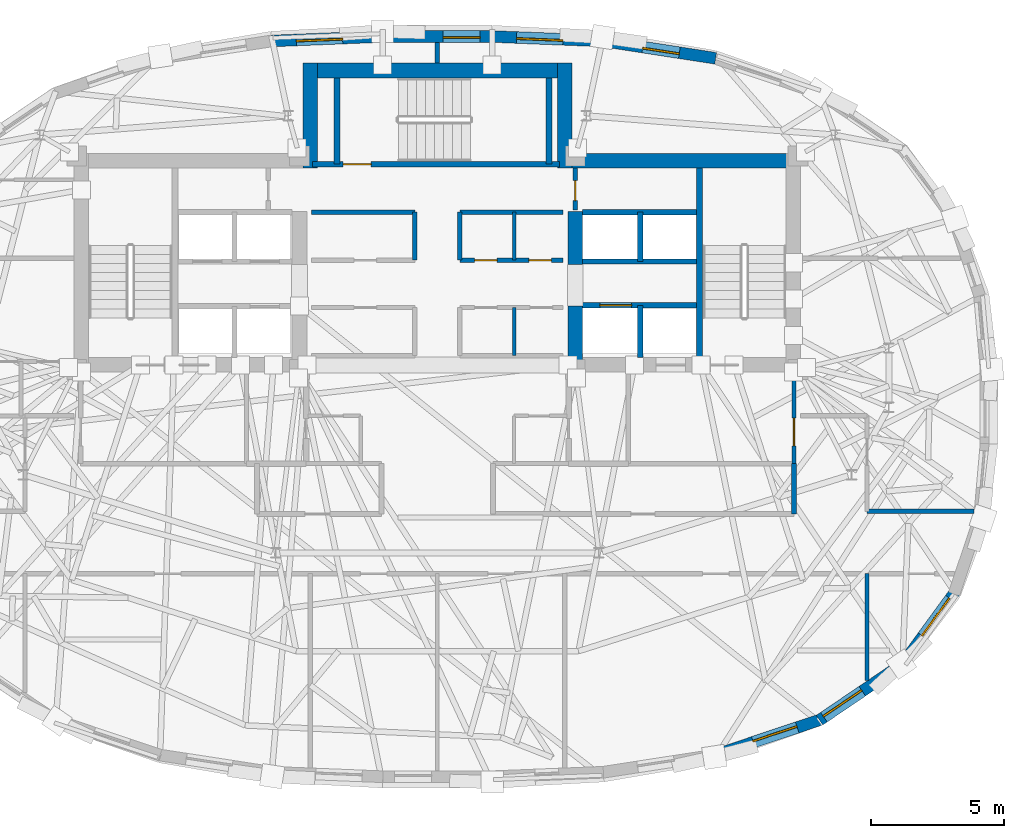
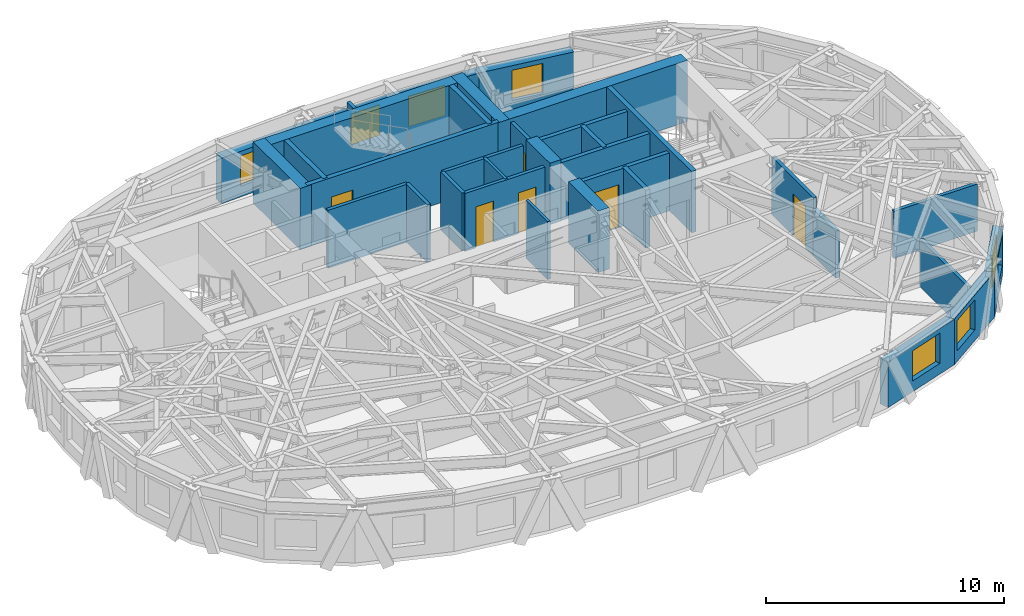
# One storey, part 8 of 12: 35 walls, 7 windows, 6 doors, 13 openings.
"""IFC4 building model written with IfcOpenShell, lengths in metres."""

from ifc_helpers import new_model, si_unit, direction, frame, frame_2d, origin, place, context, subcontext, project, spatial, rectangle, extrude, material, layer, layer_set, type_object, element, fill, save


model = new_model("IFC4")

# Units and contexts
model_context = context("Model", 3, precision=1e-05, world=origin(), true_north=direction((0.0, 1.0)))
body_context = subcontext(model_context, "Body", "Model", "MODEL_VIEW")
ifc_project = project(units=[si_unit("LENGTHUNIT", "METRE"), si_unit("AREAUNIT", "SQUARE_METRE"), si_unit("VOLUMEUNIT", "CUBIC_METRE"), si_unit("PLANEANGLEUNIT", "RADIAN"), si_unit("MASSUNIT", "GRAM", prefix="KILO")], contexts=[model_context])

# Site, building, storey
site_placement = place(None, origin())
site = spatial("IfcSite", under=ifc_project, at=site_placement, CompositionType="ELEMENT")
building_placement = place(site_placement, origin())
building = spatial("IfcBuilding", under=site, at=building_placement, Name="Keldmark Tower", CompositionType="ELEMENT")
storey_placement = place(building_placement, frame((0.0, 0.0, 250.949951171875)))
storey = spatial("IfcBuildingStorey", under=building, at=storey_placement, Name="L71", CompositionType="ELEMENT", Elevation=250.949951171875)

# Walls
ifc_material_1 = material(Name="Heavy Acoustic Plumbing Chase Gypsum Assembly", Category="gypsum")
ifc_layer_1 = layer(ifc_material_1, 0.18994140625)
ifc_layer_set_1 = layer_set([ifc_layer_1], Name="Heavy Acoustic Plumbing Chase Gypsum Assembly")
wall_type_1 = type_object("IfcWallType", Name="Heavy Wet Wall 190 mm", PredefinedType="PLUMBINGWALL", material=ifc_layer_set_1)
wall_1_placement = place(storey_placement, frame((13.449951171875, -4.050048828125, 0.0), z_axis=(0.0, 0.0, 1.0), x_axis=(0.0, 1.0, 0.0)))
element("IfcWall", 1, at=wall_1_placement, inside=storey, type_object=wall_type_1, Name="L71 Heavy Wet Wall 190 mm SPK-E-E", PredefinedType="PLUMBINGWALL", context=body_context, shape_type="SweptSolid", body=[
    extrude(rectangle(XDim=1.900146484375, YDim=0.18994140625, at=frame_2d((0.9501953125, 0.0))), origin(), (0.0, 0.0, 1.0), 2.423095703125),
])
ifc_material_2 = material(Name="Concrete C50/60", Category="concrete")
ifc_layer_2 = layer(ifc_material_2, 0.550048828125)
ifc_layer_set_2 = layer_set([ifc_layer_2], Name="Concrete C50/60")
wall_type_2 = type_object("IfcWallType", Name="High-Rise Core Shear Wall 550 mm", PredefinedType="SHEAR", material=ifc_layer_set_2)
wall_2_placement = place(storey_placement, frame((4.52490234375, 9.27490234375, 0.0), z_axis=(0.0, 0.0, 1.0), x_axis=(1.0, 0.0, 0.0)))
element("IfcWall", 2, at=wall_2_placement, inside=storey, type_object=wall_type_2, Name="L71 East Core North Shear Wall", PredefinedType="SHEAR", context=body_context, shape_type="SweptSolid", body=[
    extrude(rectangle(XDim=9.175048828125, YDim=0.550048828125, at=frame_2d((4.58740234375, 0.0))), origin(), (0.0, 0.0, 1.0), 3.150146484375),
])
wall_3_placement = place(storey_placement, frame((5.199951171875, 1.300048828125, 0.0), z_axis=(0.0, 0.0, 1.0), x_axis=(0.0, 1.0, 0.0)))
element("IfcWall", 3, at=wall_3_placement, inside=storey, type_object=wall_type_2, Name="L71 East Core Inner Shear Pier South", PredefinedType="SHEAR", context=body_context, shape_type="SweptSolid", body=[
    extrude(rectangle(XDim=2.5, YDim=0.550048828125, at=frame_2d((1.25, 0.0))), origin(), (0.0, 0.0, 1.0), 3.150146484375),
])
wall_4_placement = place(storey_placement, frame((5.199951171875, 5.35009765625, 0.0), z_axis=(0.0, 0.0, 1.0), x_axis=(0.0, 1.0, 0.0)))
element("IfcWall", 4, at=wall_4_placement, inside=storey, type_object=wall_type_2, Name="L71 East Core Inner Shear Pier North", PredefinedType="SHEAR", context=body_context, shape_type="SweptSolid", body=[
    extrude(rectangle(XDim=2.0, YDim=0.550048828125, at=frame_2d((1.0, 0.0))), origin(), (0.0, 0.0, 1.0), 3.150146484375),
])
wall_5_placement = place(storey_placement, frame((-5.074951171875, 12.675048828125, 0.0), z_axis=(0.0, 0.0, 1.0), x_axis=(1.0, 0.0, 0.0)))
element("IfcWall", 5, at=wall_5_placement, inside=storey, type_object=wall_type_2, Name="L71 North Core Shear Wall", PredefinedType="SHEAR", context=body_context, shape_type="SweptSolid", body=[
    extrude(rectangle(XDim=10.14990234375, YDim=0.550048828125, at=frame_2d((5.074951171875, 0.0))), origin(), (0.0, 0.0, 1.0), 3.150146484375),
])
for number, where, z_axis, x_axis, name in (
    (6, (-4.800048828125, 9.0, 0.0), (0.0, 0.0, 1.0), (0.0, 1.0, 0.0), "L71 North Core West Shear Wall"),
    (7, (4.800048828125, 9.0, 0.0), (0.0, 0.0, 1.0), (0.0, 1.0, 0.0), "L71 North Core East Shear Wall"),
):
    element("IfcWall", number, at=place(storey_placement, frame(where, z_axis=z_axis, x_axis=x_axis)), inside=storey, type_object=wall_type_2, Name=name, PredefinedType="SHEAR", context=body_context, shape_type="SweptSolid", body=[
        extrude(rectangle(XDim=3.949951171875, YDim=0.550048828125, at=frame_2d((1.97509765625, 0.0))), origin(), (0.0, 0.0, 1.0), 3.150146484375),
    ])
ifc_material_3 = material(Name="Acoustic Gypsum Board Interior Partition", Category="gypsum")
ifc_layer_3 = layer(ifc_material_3, 0.1298828125)
ifc_layer_set_3 = layer_set([ifc_layer_3], Name="Acoustic Gypsum Board Interior Partition")
wall_type_3 = type_object("IfcWallType", Name="Interior Partition 130 mm", PredefinedType="PARTITIONING", material=ifc_layer_set_3)
wall_6_placement = place(storey_placement, frame((2.89990234375, 1.919921875, 0.0), z_axis=(0.0, 0.0, 1.0), x_axis=(0.0, 1.0, 0.0)))
element("IfcWall", 8, at=wall_6_placement, inside=storey, type_object=wall_type_3, Name="L71 Interior Partition 130 mm REC-LE-M", PredefinedType="PARTITIONING", context=body_context, shape_type="SweptSolid", body=[
    extrude(rectangle(XDim=1.820068359375, YDim=0.1298828125, at=frame_2d((0.91015625, 0.0))), origin(), (0.0, 0.0, 1.0), 2.969970703125),
])
wall_7_placement = place(storey_placement, frame((2.89990234375, 5.52001953125, 0.0), z_axis=(0.0, 0.0, 1.0), x_axis=(0.0, 1.0, 0.0)))
element("IfcWall", 9, at=wall_7_placement, inside=storey, type_object=wall_type_3, Name="L71 Interior Partition 130 mm REC-ME-M", PredefinedType="PARTITIONING", context=body_context, shape_type="SweptSolid", body=[
    extrude(rectangle(XDim=1.81005859375, YDim=0.1298828125, at=frame_2d((0.905029296875, 0.0))), origin(), (0.0, 0.0, 1.0), 2.969970703125),
])

# Wall, opening, door
ifc_material_4 = material(Name="Type X Fire-Rated Gypsum Partition Assembly", Category="gypsum")
ifc_layer_4 = layer(ifc_material_4, 0.1650390625)
ifc_layer_set_4 = layer_set([ifc_layer_4], Name="Type X Fire-Rated Gypsum Partition Assembly")
wall_type_4 = type_object("IfcWallType", Name="Rated Partition 165 mm", PredefinedType="PARTITIONING", material=ifc_layer_set_4)
wall_8_placement = place(storey_placement, frame((13.449951171875, -2.14990234375, 0.0), z_axis=(0.0, 0.0, 1.0), x_axis=(0.0, 1.0, 0.0)))
wall_8 = element("IfcWall", 10, at=wall_8_placement, inside=storey, type_object=wall_type_4, Name="L71 Rated Partition 165 mm FSAE-E-E", PredefinedType="PARTITIONING", context=body_context, shape_type="SweptSolid", body=[
    extrude(rectangle(XDim=3.5, YDim=0.1650390625, at=frame_2d((1.75, 0.0))), origin(), (0.0, 0.0, 1.0), 2.969970703125),
])
opening_1_placement = place(wall_8_placement, frame((0.669921875, 0.0, 0.0)))
opening_1 = element("IfcOpeningElement", 11, at=opening_1_placement, cuts=wall_8, Name="Opening D-FL105", PredefinedType="OPENING", context=body_context, shape_type="SweptSolid", body=[
    extrude(rectangle(XDim=1.050048828125, YDim=2.14990234375, at=frame_2d((0.52490234375, 1.074951171875))), frame((0.0, 0.092529296875, 0.0), z_axis=(0.0, -1.0, 0.0), x_axis=(1.0, 0.0, 0.0)), (0.0, 0.0, 1.0), 0.18505859375),
])
ifc_material_5 = material(Name="Fire-Rated Mineral-Core Door and Vision Lite", Category="metal")
door_type_1 = type_object("IfcDoorType", Name="Fire Lobby Door 1050x2150", OperationType="NOTDEFINED", PredefinedType="DOOR", material=ifc_material_5)
door_1_placement = place(opening_1_placement, origin())
door_1 = element("IfcDoor", 12, at=door_1_placement, inside=storey, type_object=door_type_1, Name="L71 Fire Lobby Door 1050x2150 D-FSAEE-OUT-L71", OperationType="SINGLE_SWING_RIGHT", OverallHeight=2.14990234375, OverallWidth=1.050048828125, PredefinedType="DOOR", context=body_context, shape_type="SweptSolid", body=[
    extrude(rectangle(XDim=1.050048828125, YDim=2.14990234375, at=frame_2d((0.52490234375, 1.074951171875))), frame((0.0, 0.02490234375, 0.0), z_axis=(0.0, -1.0, 0.0), x_axis=(1.0, 0.0, 0.0)), (0.0, 0.0, 1.0), 0.050048828125),
])
fill(opening_1, door_1)

# Walls
wall_9_placement = place(storey_placement, frame((-4.739990234375, 7.330078125, 0.0), z_axis=(0.0, 0.0, 1.0), x_axis=(1.0, 0.0, 0.0)))
element("IfcWall", 13, at=wall_9_placement, inside=storey, type_object=wall_type_4, Name="L71 Rated Partition 165 mm REC-MW-N", PredefinedType="PARTITIONING", context=body_context, shape_type="SweptSolid", body=[
    extrude(rectangle(XDim=3.889892578125, YDim=0.1650390625, at=frame_2d((1.94482421875, 0.0))), origin(), (0.0, 0.0, 1.0), 2.969970703125),
])
wall_10_placement = place(storey_placement, frame((-0.85009765625, 5.52001953125, 0.0), z_axis=(0.0, 0.0, 1.0), x_axis=(0.0, 1.0, 0.0)))
element("IfcWall", 14, at=wall_10_placement, inside=storey, type_object=wall_type_4, Name="L71 Rated Partition 165 mm REC-MW-E", PredefinedType="PARTITIONING", context=body_context, shape_type="SweptSolid", body=[
    extrude(rectangle(XDim=1.81005859375, YDim=0.1650390625, at=frame_2d((0.905029296875, 0.0))), origin(), (0.0, 0.0, 1.0), 2.969970703125),
])

# Wall, openings, doors
wall_11_placement = place(storey_placement, frame((0.85009765625, 5.52001953125, 0.0), z_axis=(0.0, 0.0, 1.0), x_axis=(1.0, 0.0, 0.0)))
wall_11 = element("IfcWall", 15, at=wall_11_placement, inside=storey, type_object=wall_type_4, Name="L71 Rated Partition 165 mm REC-ME-S", PredefinedType="PARTITIONING", context=body_context, shape_type="SweptSolid", body=[
    extrude(rectangle(XDim=3.889892578125, YDim=0.1650390625, at=frame_2d((1.94482421875, 0.0))), origin(), (0.0, 0.0, 1.0), 2.969970703125),
])
opening_2_placement = place(wall_11_placement, frame((0.550048828125, 0.0, 0.0)))
opening_2 = element("IfcOpeningElement", 16, at=opening_2_placement, cuts=wall_11, Name="Opening D-SV085", PredefinedType="OPENING", context=body_context, shape_type="SweptSolid", body=[
    extrude(rectangle(XDim=0.85009765625, YDim=2.10009765625, at=frame_2d((0.425048828125, 1.050048828125))), frame((0.0, 0.092529296875, 0.0), z_axis=(0.0, -1.0, 0.0), x_axis=(1.0, 0.0, 0.0)), (0.0, 0.0, 1.0), 0.18505859375),
])
opening_3_placement = place(wall_11_placement, frame((2.60009765625, 0.0, 0.0)))
opening_3 = element("IfcOpeningElement", 17, at=opening_3_placement, cuts=wall_11, Name="Opening D-SV085", PredefinedType="OPENING", context=body_context, shape_type="SweptSolid", body=[
    extrude(rectangle(XDim=0.85009765625, YDim=2.10009765625, at=frame_2d((0.425048828125, 1.050048828125))), frame((0.0, 0.092529296875, 0.0), z_axis=(0.0, -1.0, 0.0), x_axis=(1.0, 0.0, 0.0)), (0.0, 0.0, 1.0), 0.18505859375),
])
ifc_material_6 = material(Name="Painted Hollow Metal Door Assembly", Category="metal")
door_type_2 = type_object("IfcDoorType", Name="Service Door 850x2100", OperationType="NOTDEFINED", PredefinedType="DOOR", material=ifc_material_6)
door_2_placement = place(opening_2_placement, origin())
door_2 = element("IfcDoor", 18, at=door_2_placement, inside=storey, type_object=door_type_2, Name="L71 Service Door 850x2100 D-RECME1-L71", OperationType="SINGLE_SWING_RIGHT", OverallHeight=2.10009765625, OverallWidth=0.85009765625, PredefinedType="DOOR", context=body_context, shape_type="SweptSolid", body=[
    extrude(rectangle(XDim=0.85009765625, YDim=2.10009765625, at=frame_2d((0.425048828125, 1.050048828125))), frame((0.0, 0.02490234375, 0.0), z_axis=(0.0, -1.0, 0.0), x_axis=(1.0, 0.0, 0.0)), (0.0, 0.0, 1.0), 0.050048828125),
])
fill(opening_2, door_2)
door_3_placement = place(opening_3_placement, origin())
door_3 = element("IfcDoor", 19, at=door_3_placement, inside=storey, type_object=door_type_2, Name="L71 Service Door 850x2100 D-RECME2-L71", OperationType="SINGLE_SWING_RIGHT", OverallHeight=2.10009765625, OverallWidth=0.85009765625, PredefinedType="DOOR", context=body_context, shape_type="SweptSolid", body=[
    extrude(rectangle(XDim=0.85009765625, YDim=2.10009765625, at=frame_2d((0.425048828125, 1.050048828125))), frame((0.0, 0.02490234375, 0.0), z_axis=(0.0, -1.0, 0.0), x_axis=(1.0, 0.0, 0.0)), (0.0, 0.0, 1.0), 0.050048828125),
])
fill(opening_3, door_3)

# Walls
wall_12_placement = place(storey_placement, frame((0.85009765625, 7.330078125, 0.0), z_axis=(0.0, 0.0, 1.0), x_axis=(1.0, 0.0, 0.0)))
element("IfcWall", 20, at=wall_12_placement, inside=storey, type_object=wall_type_4, Name="L71 Rated Partition 165 mm REC-ME-N", PredefinedType="PARTITIONING", context=body_context, shape_type="SweptSolid", body=[
    extrude(rectangle(XDim=3.889892578125, YDim=0.1650390625, at=frame_2d((1.94482421875, 0.0))), origin(), (0.0, 0.0, 1.0), 2.969970703125),
])
wall_13_placement = place(storey_placement, frame((0.85009765625, 5.52001953125, 0.0), z_axis=(0.0, 0.0, 1.0), x_axis=(0.0, 1.0, 0.0)))
element("IfcWall", 21, at=wall_13_placement, inside=storey, type_object=wall_type_4, Name="L71 Rated Partition 165 mm REC-ME-W", PredefinedType="PARTITIONING", context=body_context, shape_type="SweptSolid", body=[
    extrude(rectangle(XDim=1.81005859375, YDim=0.1650390625, at=frame_2d((0.905029296875, 0.0))), origin(), (0.0, 0.0, 1.0), 2.969970703125),
])

# Wall, opening, door
wall_14_placement = place(storey_placement, frame((5.199951171875, 7.419921875, 0.0), z_axis=(0.0, 0.0, 1.0), x_axis=(0.0, 1.0, 0.0)))
wall_14 = element("IfcWall", 22, at=wall_14_placement, inside=storey, type_object=wall_type_4, Name="L71 Rated Partition 165 mm CS-NE-W", PredefinedType="PARTITIONING", context=body_context, shape_type="SweptSolid", body=[
    extrude(rectangle(XDim=1.580078125, YDim=0.1650390625, at=frame_2d((0.7900390625, 0.0))), origin(), (0.0, 0.0, 1.0), 2.969970703125),
])
opening_4_placement = place(wall_14_placement, frame((0.35009765625, 0.0, 0.0)))
opening_4 = element("IfcOpeningElement", 23, at=opening_4_placement, cuts=wall_14, Name="Opening D-RS075", PredefinedType="OPENING", context=body_context, shape_type="SweptSolid", body=[
    extrude(rectangle(XDim=0.75, YDim=2.10009765625, at=frame_2d((0.375, 1.050048828125))), frame((0.0, 0.092529296875, 0.0), z_axis=(0.0, -1.0, 0.0), x_axis=(1.0, 0.0, 0.0)), (0.0, 0.0, 1.0), 0.18505859375),
])
ifc_material_7 = material(Name="Galvanized Fire-Rated Access Leaf", Category="metal")
door_type_3 = type_object("IfcDoorType", Name="Riser Access Door 750x2100", OperationType="NOTDEFINED", PredefinedType="DOOR", material=ifc_material_7)
door_4_placement = place(opening_4_placement, origin())
door_4 = element("IfcDoor", 24, at=door_4_placement, inside=storey, type_object=door_type_3, Name="L71 Riser Access Door 750x2100 D-CSNE1-L71", OperationType="SINGLE_SWING_LEFT", OverallHeight=2.10009765625, OverallWidth=0.75, PredefinedType="DOOR", context=body_context, shape_type="SweptSolid", body=[
    extrude(rectangle(XDim=0.75, YDim=2.10009765625, at=frame_2d((0.375, 1.050048828125))), frame((0.0, 0.02490234375, 0.0), z_axis=(0.0, -1.0, 0.0), x_axis=(1.0, 0.0, 0.0)), (0.0, 0.0, 1.0), 0.050048828125),
])
fill(opening_4, door_4)

# Walls
wall_15_placement = place(storey_placement, frame((16.199951171875, -3.949951171875, 0.0), z_axis=(0.0, 0.0, 1.0), x_axis=(1.0, 0.0, 0.0)))
element("IfcWall", 25, at=wall_15_placement, inside=storey, type_object=wall_type_4, Name="L71 Rated Partition 165 mm RCOR-EN-OUT", PredefinedType="PARTITIONING", context=body_context, shape_type="SweptSolid", body=[
    extrude(rectangle(XDim=4.036865234375, YDim=0.1650390625, at=frame_2d((2.0185546875, 0.0))), origin(), (0.0, 0.0, 1.0), 2.423095703125),
])
wall_16_placement = place(storey_placement, frame((0.0, 12.949951171875, 0.0), z_axis=(0.0, 0.0, 1.0), x_axis=(0.0, 1.0, 0.0)))
element("IfcWall", 26, at=wall_16_placement, inside=storey, type_object=wall_type_4, Name="L71 Rated Partition 165 mm RN-DIV", PredefinedType="PARTITIONING", context=body_context, shape_type="SweptSolid", body=[
    extrude(rectangle(XDim=0.779052734375, YDim=0.1650390625, at=frame_2d((0.3896484375, 0.0))), origin(), (0.0, 0.0, 1.0), 2.969970703125),
])
wall_17_placement = place(storey_placement, frame((16.199951171875, -10.3359375, 0.0), z_axis=(0.0, 0.0, 1.0), x_axis=(0.0, 1.0, 0.0)))
element("IfcWall", 27, at=wall_17_placement, inside=storey, type_object=wall_type_4, Name="L71 Rated Partition 165 mm RS-ECAP", PredefinedType="PARTITIONING", context=body_context, shape_type="SweptSolid", body=[
    extrude(rectangle(XDim=4.035888671875, YDim=0.1650390625, at=frame_2d((2.01806640625, 0.0))), origin(), (0.0, 0.0, 1.0), 2.423095703125),
])

# Wall, opening, door
ifc_material_8 = material(Name="Fire-Resistant Type X Gypsum Shaftliner Coreboard", Category="gypsum")
ifc_layer_5 = layer(ifc_material_8, 0.199951171875)
ifc_layer_set_5 = layer_set([ifc_layer_5], Name="Fire-Resistant Type X Gypsum Shaftliner Coreboard")
wall_type_5 = type_object("IfcWallType", Name="Shaft Wall 200 mm", PredefinedType="SOLIDWALL", material=ifc_layer_set_5)
wall_18_placement = place(storey_placement, frame((5.47509765625, 3.820068359375, 0.0), z_axis=(0.0, 0.0, 1.0), x_axis=(1.0, 0.0, 0.0)))
wall_18 = element("IfcWall", 28, at=wall_18_placement, inside=storey, type_object=wall_type_5, Name="L71 Shaft Wall 200 mm HW-E-S", PredefinedType="SOLIDWALL", context=body_context, shape_type="SweptSolid", body=[
    extrude(rectangle(XDim=4.304931640625, YDim=0.199951171875, at=frame_2d((2.15234375, 0.0))), origin(), (0.0, 0.0, 1.0), 2.969970703125),
])
opening_5_placement = place(wall_18_placement, frame((0.64990234375, 0.0, 0.0)))
opening_5 = element("IfcOpeningElement", 29, at=opening_5_placement, cuts=wall_18, Name="Opening LD-120", PredefinedType="OPENING", context=body_context, shape_type="SweptSolid", body=[
    extrude(rectangle(XDim=1.199951171875, YDim=2.199951171875, at=frame_2d((0.60009765625, 1.10009765625))), frame((0.0, 0.10986328125, 0.0), z_axis=(0.0, -1.0, 0.0), x_axis=(1.0, 0.0, 0.0)), (0.0, 0.0, 1.0), 0.219970703125),
])
ifc_material_9 = material(Name="Heavy-Duty Brushed Metal Hoistway Sliding Leaf", Category="metal")
door_type_4 = type_object("IfcDoorType", Name="Service Lift Sliding Door 1200x2200", OperationType="SLIDING_TO_RIGHT", PredefinedType="DOOR", material=ifc_material_9)
door_5_placement = place(opening_5_placement, origin())
door_5 = element("IfcDoor", 30, at=door_5_placement, inside=storey, type_object=door_type_4, Name="L71 Service Lift Sliding Door 1200x2200 LD-EL-SV1-L71", OperationType="SLIDING_TO_RIGHT", OverallHeight=2.199951171875, OverallWidth=1.199951171875, PredefinedType="DOOR", context=body_context, shape_type="SweptSolid", body=[
    extrude(rectangle(XDim=1.199951171875, YDim=2.199951171875, at=frame_2d((0.60009765625, 1.10009765625))), frame((0.0, 0.02490234375, 0.0), z_axis=(0.0, -1.0, 0.0), x_axis=(1.0, 0.0, 0.0)), (0.0, 0.0, 1.0), 0.050048828125),
])
fill(opening_5, door_5)

# Walls
wall_19_placement = place(storey_placement, frame((7.64990234375, 1.85009765625, 0.0), z_axis=(0.0, 0.0, 1.0), x_axis=(0.0, 1.0, 0.0)))
element("IfcWall", 31, at=wall_19_placement, inside=storey, type_object=wall_type_5, Name="L71 Shaft Wall 200 mm HW-E-M", PredefinedType="SOLIDWALL", context=body_context, shape_type="SweptSolid", body=[
    extrude(rectangle(XDim=1.969970703125, YDim=0.199951171875, at=frame_2d((0.98486328125, 0.0))), origin(), (0.0, 0.0, 1.0), 2.969970703125),
])
for number, where, z_axis, x_axis, name in (
    (32, (5.47509765625, 5.469970703125, 0.0), (0.0, 0.0, 1.0), (1.0, 0.0, 0.0), "L71 Shaft Wall 200 mm HW-E-N"),
    (33, (5.47509765625, 7.330078125, 0.0), (0.0, 0.0, 1.0), (1.0, 0.0, 0.0), "L71 Shaft Wall 200 mm HW-E-TOP"),
):
    element("IfcWall", number, at=place(storey_placement, frame(where, z_axis=z_axis, x_axis=x_axis)), inside=storey, type_object=wall_type_5, Name=name, PredefinedType="SOLIDWALL", context=body_context, shape_type="SweptSolid", body=[
        extrude(rectangle(XDim=4.304931640625, YDim=0.199951171875, at=frame_2d((2.15234375, 0.0))), origin(), (0.0, 0.0, 1.0), 2.969970703125),
    ])
wall_20_placement = place(storey_placement, frame((7.64990234375, 5.469970703125, 0.0), z_axis=(0.0, 0.0, 1.0), x_axis=(0.0, 1.0, 0.0)))
element("IfcWall", 34, at=wall_20_placement, inside=storey, type_object=wall_type_5, Name="L71 Shaft Wall 200 mm HW-E-NM", PredefinedType="SOLIDWALL", context=body_context, shape_type="SweptSolid", body=[
    extrude(rectangle(XDim=1.860107421875, YDim=0.199951171875, at=frame_2d((0.93017578125, 0.0))), origin(), (0.0, 0.0, 1.0), 2.969970703125),
])
ifc_material_10 = material(Name="Concrete C50/60", Category="concrete")
ifc_layer_6 = layer(ifc_material_10, 0.219970703125)
ifc_layer_set_6 = layer_set([ifc_layer_6], Name="Concrete C50/60")
wall_type_6 = type_object("IfcWallType", Name="Stair Core Shear Wall 220 mm", PredefinedType="SHEAR", material=ifc_layer_set_6)
wall_21_placement = place(storey_placement, frame((9.889892578125, 1.85009765625, 0.0), z_axis=(0.0, 0.0, 1.0), x_axis=(0.0, 1.0, 0.0)))
element("IfcWall", 35, at=wall_21_placement, inside=storey, type_object=wall_type_6, Name="L71 East Stair Core Shear Wall", PredefinedType="SHEAR", context=body_context, shape_type="SweptSolid", body=[
    extrude(rectangle(XDim=7.14990234375, YDim=0.219970703125, at=frame_2d((3.574951171875, 0.0))), origin(), (0.0, 0.0, 1.0), 3.150146484375),
])

# Wall, opening, door
wall_22_placement = place(storey_placement, frame((-4.699951171875, 9.139892578125, 0.0), z_axis=(0.0, 0.0, 1.0), x_axis=(1.0, 0.0, 0.0)))
wall_22 = element("IfcWall", 36, at=wall_22_placement, inside=storey, type_object=wall_type_6, Name="L71 Central Stair Core South Shear Wall", PredefinedType="SHEAR", context=body_context, shape_type="SweptSolid", body=[
    extrude(rectangle(XDim=9.300048828125, YDim=0.219970703125, at=frame_2d((4.64990234375, 0.0))), origin(), (0.0, 0.0, 1.0), 3.150146484375),
])
opening_6_placement = place(wall_22_placement, frame((1.14990234375, 0.0, 0.0)))
opening_6 = element("IfcOpeningElement", 37, at=opening_6_placement, cuts=wall_22, Name="Opening D-ST105", PredefinedType="OPENING", context=body_context, shape_type="SweptSolid", body=[
    extrude(rectangle(XDim=1.050048828125, YDim=2.14990234375, at=frame_2d((0.52490234375, 1.074951171875))), frame((0.0, 0.119873046875, 0.0), z_axis=(0.0, -1.0, 0.0), x_axis=(1.0, 0.0, 0.0)), (0.0, 0.0, 1.0), 0.239990234375),
])
ifc_material_11 = material(Name="Hollow Metal Fire-Rated Door Assembly", Category="metal")
door_type_5 = type_object("IfcDoorType", Name="Stair Fire Door 1050x2150", OperationType="NOTDEFINED", PredefinedType="DOOR", material=ifc_material_11)
door_6_placement = place(opening_6_placement, origin())
door_6 = element("IfcDoor", 38, at=door_6_placement, inside=storey, type_object=door_type_5, Name="L71 Stair Fire Door 1050x2150 D-ST3-L71", OperationType="SINGLE_SWING_LEFT", OverallHeight=2.14990234375, OverallWidth=1.050048828125, PredefinedType="DOOR", context=body_context, shape_type="SweptSolid", body=[
    extrude(rectangle(XDim=1.050048828125, YDim=2.14990234375, at=frame_2d((0.52490234375, 1.074951171875))), frame((0.0, 0.02490234375, 0.0), z_axis=(0.0, -1.0, 0.0), x_axis=(1.0, 0.0, 0.0)), (0.0, 0.0, 1.0), 0.050048828125),
])
fill(opening_6, door_6)

# Walls
for number, where, z_axis, x_axis, name in (
    (39, (-3.784912109375, 9.139892578125, 0.0), (0.0, 0.0, 1.0), (0.0, 1.0, 0.0), "L71 Central Stair Core West Shear Wall"),
    (40, (4.215087890625, 9.139892578125, 0.0), (0.0, 0.0, 1.0), (0.0, 1.0, 0.0), "L71 Central Stair Core East Shear Wall"),
):
    element("IfcWall", number, at=place(storey_placement, frame(where, z_axis=z_axis, x_axis=x_axis)), inside=storey, type_object=wall_type_6, Name=name, PredefinedType="SHEAR", context=body_context, shape_type="SweptSolid", body=[
        extrude(rectangle(XDim=3.260009765625, YDim=0.219970703125, at=frame_2d((1.6298828125, 0.0))), origin(), (0.0, 0.0, 1.0), 3.150146484375),
    ])

# Wall, opening, window
ifc_material_12 = material(Name="Ironspot Manganese Brick and Kasota Buff Limestone Spandrel Assembly", Category="masonry")
ifc_layer_7 = layer(ifc_material_12, 0.43994140625)
ifc_layer_set_7 = layer_set([ifc_layer_7], Name="Ironspot Manganese Brick and Kasota Buff Limestone Spandrel Assembly")
wall_type_7 = type_object("IfcWallType", Name="Tower Brick Pier and Spandrel Wall 440 mm", PredefinedType="STANDARD", material=ifc_layer_set_7)
wall_23_placement = place(storey_placement, frame((6.23388671875, 13.790771484375, 0.0), z_axis=(0.0, 0.0, 1.0), x_axis=(0.988352039028, -0.152184910389, 0.0)))
wall_23 = element("IfcWall", 41, at=wall_23_placement, inside=storey, type_object=wall_type_7, Name="L71 Exterior Brick and Spandrel Wall 06", PredefinedType="STANDARD", context=body_context, shape_type="SweptSolid", body=[
    extrude(rectangle(XDim=4.30908203125, YDim=0.43994140625, at=frame_2d((2.154541015625, 0.0))), origin(), (0.0, 0.0, 1.0), 2.3359375),
])
opening_7_placement = place(wall_23_placement, frame((1.5283203125, 0.0, 0.550048828125)))
opening_7 = element("IfcOpeningElement", 42, at=opening_7_placement, cuts=wall_23, Name="Opening W-08", PredefinedType="OPENING", context=body_context, shape_type="SweptSolid", body=[
    extrude(rectangle(XDim=1.39990234375, YDim=1.550048828125, at=frame_2d((0.699951171875, 0.77490234375))), frame((0.0, 0.22998046875, 0.0), z_axis=(0.0, -1.0, 0.0), x_axis=(1.0, 0.0, 0.0)), (0.0, 0.0, 1.0), 0.4599609375),
])
ifc_material_13 = material(Name="Thermally Broken Anodized Aluminum and Triple Low-E Argon Glazing", Category="aluminium")
window_type_1 = type_object("IfcWindowType", Name="Residential Corner Punched Window 1400x1550", PartitioningType="SINGLE_PANEL", PredefinedType="WINDOW", material=ifc_material_13)
window_1_placement = place(opening_7_placement, origin())
window_1 = element("IfcWindow", 43, at=window_1_placement, inside=storey, type_object=window_type_1, Name="L71 Deep-Set Window 06", OverallHeight=1.550048828125, OverallWidth=1.39990234375, PartitioningType="SINGLE_PANEL", PredefinedType="WINDOW", context=body_context, shape_type="SweptSolid", body=[
    extrude(rectangle(XDim=1.39990234375, YDim=1.550048828125, at=frame_2d((0.699951171875, 0.77490234375))), frame((0.0, -0.010009765625, 0.0), z_axis=(0.0, -1.0, 0.0), x_axis=(1.0, 0.0, 0.0)), (0.0, 0.0, 1.0), 0.06005859375),
])
fill(opening_7, window_1)

wall_24_placement = place(storey_placement, frame((2.050537109375, 13.957275390625, 0.0), z_axis=(0.0, 0.0, 1.0), x_axis=(0.999195020948, -0.040116207618, 0.0)))
wall_24 = element("IfcWall", 44, at=wall_24_placement, inside=storey, type_object=wall_type_7, Name="L71 Exterior Brick and Spandrel Wall 07", PredefinedType="STANDARD", context=body_context, shape_type="SweptSolid", body=[
    extrude(rectangle(XDim=4.21142578125, YDim=0.43994140625, at=frame_2d((2.105712890625, 0.0))), origin(), (0.0, 0.0, 1.0), 2.3359375),
])
opening_8_placement = place(wall_24_placement, frame((0.936279296875, 0.0, 0.550048828125)))
opening_8 = element("IfcOpeningElement", 45, at=opening_8_placement, cuts=wall_24, Name="Opening W-05", PredefinedType="OPENING", context=body_context, shape_type="SweptSolid", body=[
    extrude(rectangle(XDim=1.75, YDim=1.550048828125, at=frame_2d((0.875, 0.77490234375))), frame((0.0, 0.22998046875, 0.0), z_axis=(0.0, -1.0, 0.0), x_axis=(1.0, 0.0, 0.0)), (0.0, 0.0, 1.0), 0.4599609375),
])
ifc_material_14 = material(Name="Thermally Broken Anodized Aluminum and Triple Low-E Argon Glazing", Category="aluminium")
window_type_2 = type_object("IfcWindowType", Name="Residential Deep-Set Window 1750x1550", PartitioningType="DOUBLE_PANEL_VERTICAL", PredefinedType="WINDOW", material=ifc_material_14)
window_2_placement = place(opening_8_placement, origin())
window_2 = element("IfcWindow", 46, at=window_2_placement, inside=storey, type_object=window_type_2, Name="L71 Deep-Set Window 07", OverallHeight=1.550048828125, OverallWidth=1.75, PartitioningType="SINGLE_PANEL", PredefinedType="WINDOW", context=body_context, shape_type="SweptSolid", body=[
    extrude(rectangle(XDim=1.75, YDim=1.550048828125, at=frame_2d((0.875, 0.77490234375))), frame((0.0, -0.010009765625, 0.0), z_axis=(0.0, -1.0, 0.0), x_axis=(1.0, 0.0, 0.0)), (0.0, 0.0, 1.0), 0.06005859375),
])
fill(opening_8, window_2)

wall_25_placement = place(storey_placement, frame((-2.059326171875, 13.95703125, 0.0), z_axis=(0.0, 0.0, 1.0), x_axis=(1.0, 0.0, 0.0)))
wall_25 = element("IfcWall", 47, at=wall_25_placement, inside=storey, type_object=wall_type_7, Name="L71 Exterior Brick and Spandrel Wall 08", PredefinedType="STANDARD", context=body_context, shape_type="SweptSolid", body=[
    extrude(rectangle(XDim=4.11865234375, YDim=0.43994140625, at=frame_2d((2.059326171875, 0.0))), origin(), (0.0, 0.0, 1.0), 2.3359375),
])
opening_9_placement = place(wall_25_placement, frame((2.272216796875, 0.0, 0.580078125)))
opening_9 = element("IfcOpeningElement", 48, at=opening_9_placement, cuts=wall_25, Name="Opening W-08", PredefinedType="OPENING", context=body_context, shape_type="SweptSolid", body=[
    extrude(rectangle(XDim=1.39990234375, YDim=1.550048828125, at=frame_2d((0.699951171875, 0.77490234375))), frame((0.0, 0.22998046875, 0.0), z_axis=(0.0, -1.0, 0.0), x_axis=(1.0, 0.0, 0.0)), (0.0, 0.0, 1.0), 0.4599609375),
])
window_3_placement = place(opening_9_placement, origin())
window_3 = element("IfcWindow", 49, at=window_3_placement, inside=storey, type_object=window_type_1, Name="L71 Deep-Set Window 08", OverallHeight=1.550048828125, OverallWidth=1.39990234375, PartitioningType="SINGLE_PANEL", PredefinedType="WINDOW", context=body_context, shape_type="SweptSolid", body=[
    extrude(rectangle(XDim=1.39990234375, YDim=1.550048828125, at=frame_2d((0.699951171875, 0.77490234375))), frame((0.0, -0.010009765625, 0.0), z_axis=(0.0, -1.0, 0.0), x_axis=(1.0, 0.0, 0.0)), (0.0, 0.0, 1.0), 0.06005859375),
])
fill(opening_9, window_3)

wall_26_placement = place(storey_placement, frame((-6.258544921875, 13.788330078125, 0.0), z_axis=(0.0, 0.0, 1.0), x_axis=(0.999195020948, 0.040116207618, 0.0)))
wall_26 = element("IfcWall", 50, at=wall_26_placement, inside=storey, type_object=wall_type_7, Name="L71 Exterior Brick and Spandrel Wall 09", PredefinedType="STANDARD", context=body_context, shape_type="SweptSolid", body=[
    extrude(rectangle(XDim=4.21142578125, YDim=0.43994140625, at=frame_2d((2.105712890625, 0.0))), origin(), (0.0, 0.0, 1.0), 2.3359375),
])
opening_10_placement = place(wall_26_placement, frame((0.936279296875, 0.0, 0.550048828125)))
opening_10 = element("IfcOpeningElement", 51, at=opening_10_placement, cuts=wall_26, Name="Opening W-05", PredefinedType="OPENING", context=body_context, shape_type="SweptSolid", body=[
    extrude(rectangle(XDim=1.75, YDim=1.550048828125, at=frame_2d((0.875, 0.77490234375))), frame((0.0, 0.22998046875, 0.0), z_axis=(0.0, -1.0, 0.0), x_axis=(1.0, 0.0, 0.0)), (0.0, 0.0, 1.0), 0.4599609375),
])
window_4_placement = place(opening_10_placement, origin())
window_4 = element("IfcWindow", 52, at=window_4_placement, inside=storey, type_object=window_type_2, Name="L71 Deep-Set Window 09", OverallHeight=1.550048828125, OverallWidth=1.75, PartitioningType="SINGLE_PANEL", PredefinedType="WINDOW", context=body_context, shape_type="SweptSolid", body=[
    extrude(rectangle(XDim=1.75, YDim=1.550048828125, at=frame_2d((0.875, 0.77490234375))), frame((0.0, -0.010009765625, 0.0), z_axis=(0.0, -1.0, 0.0), x_axis=(1.0, 0.0, 0.0)), (0.0, 0.0, 1.0), 0.06005859375),
])
fill(opening_10, window_4)

wall_27_placement = place(storey_placement, frame((14.46337890625, -11.798583984375, 0.0), z_axis=(0.0, 0.0, 1.0), x_axis=(-0.948005346594, -0.318254399545, 0.0)))
wall_27 = element("IfcWall", 53, at=wall_27_placement, inside=storey, type_object=wall_type_7, Name="L71 Exterior Brick and Spandrel Wall 27", PredefinedType="STANDARD", context=body_context, shape_type="SweptSolid", body=[
    extrude(rectangle(XDim=4.226806640625, YDim=0.43994140625, at=frame_2d((2.11328125, 0.0))), origin(), (0.0, 0.0, 1.0), 2.3359375),
])
opening_11_placement = place(wall_27_placement, frame((0.94189453125, 0.0, 0.550048828125)))
opening_11 = element("IfcOpeningElement", 54, at=opening_11_placement, cuts=wall_27, Name="Opening W-05", PredefinedType="OPENING", context=body_context, shape_type="SweptSolid", body=[
    extrude(rectangle(XDim=1.75, YDim=1.550048828125, at=frame_2d((0.875, 0.77490234375))), frame((0.0, 0.22998046875, 0.0), z_axis=(0.0, -1.0, 0.0), x_axis=(1.0, 0.0, 0.0)), (0.0, 0.0, 1.0), 0.4599609375),
])
window_5_placement = place(opening_11_placement, origin())
window_5 = element("IfcWindow", 55, at=window_5_placement, inside=storey, type_object=window_type_2, Name="L71 Deep-Set Window 27", OverallHeight=1.550048828125, OverallWidth=1.75, PartitioningType="SINGLE_PANEL", PredefinedType="WINDOW", context=body_context, shape_type="SweptSolid", body=[
    extrude(rectangle(XDim=1.75, YDim=1.550048828125, at=frame_2d((0.875, 0.77490234375))), frame((0.0, -0.010009765625, 0.0), z_axis=(0.0, -1.0, 0.0), x_axis=(1.0, 0.0, 0.0)), (0.0, 0.0, 1.0), 0.06005859375),
])
fill(opening_11, window_5)

wall_28_placement = place(storey_placement, frame((17.585693359375, -9.671875, 0.0), z_axis=(0.0, 0.0, 1.0), x_axis=(-0.827707997274, -0.56115904274, 0.0)))
wall_28 = element("IfcWall", 56, at=wall_28_placement, inside=storey, type_object=wall_type_7, Name="L71 Exterior Brick and Spandrel Wall 28", PredefinedType="STANDARD", context=body_context, shape_type="SweptSolid", body=[
    extrude(rectangle(XDim=3.8369140625, YDim=0.43994140625, at=frame_2d((1.91845703125, 0.0))), origin(), (0.0, 0.0, 1.0), 2.3359375),
])
opening_12_placement = place(wall_28_placement, frame((1.88671875, 0.0, 0.550048828125)))
opening_12 = element("IfcOpeningElement", 57, at=opening_12_placement, cuts=wall_28, Name="Opening W-05", PredefinedType="OPENING", context=body_context, shape_type="SweptSolid", body=[
    extrude(rectangle(XDim=1.75, YDim=1.550048828125, at=frame_2d((0.875, 0.77490234375))), frame((0.0, 0.22998046875, 0.0), z_axis=(0.0, -1.0, 0.0), x_axis=(1.0, 0.0, 0.0)), (0.0, 0.0, 1.0), 0.4599609375),
])
window_6_placement = place(opening_12_placement, origin())
window_6 = element("IfcWindow", 58, at=window_6_placement, inside=storey, type_object=window_type_2, Name="L71 Deep-Set Window 28", OverallHeight=1.550048828125, OverallWidth=1.75, PartitioningType="SINGLE_PANEL", PredefinedType="WINDOW", context=body_context, shape_type="SweptSolid", body=[
    extrude(rectangle(XDim=1.75, YDim=1.550048828125, at=frame_2d((0.875, 0.77490234375))), frame((0.0, -0.010009765625, 0.0), z_axis=(0.0, -1.0, 0.0), x_axis=(1.0, 0.0, 0.0)), (0.0, 0.0, 1.0), 0.06005859375),
])
fill(opening_12, window_6)

wall_29_placement = place(storey_placement, frame((19.515380859375, -7.00732421875, 0.0), z_axis=(0.0, 0.0, 1.0), x_axis=(-0.589698134284, -0.807623743102, 0.0)))
wall_29 = element("IfcWall", 59, at=wall_29_placement, inside=storey, type_object=wall_type_7, Name="L71 Exterior Brick and Spandrel Wall 29", PredefinedType="STANDARD", context=body_context, shape_type="SweptSolid", body=[
    extrude(rectangle(XDim=3.3642578125, YDim=0.43994140625, at=frame_2d((1.68212890625, 0.0))), origin(), (0.0, 0.0, 1.0), 2.3359375),
])
opening_13_placement = place(wall_29_placement, frame((0.297119140625, 0.0, 0.550048828125)))
opening_13 = element("IfcOpeningElement", 60, at=opening_13_placement, cuts=wall_29, Name="Opening W-05", PredefinedType="OPENING", context=body_context, shape_type="SweptSolid", body=[
    extrude(rectangle(XDim=1.75, YDim=1.550048828125, at=frame_2d((0.875, 0.77490234375))), frame((0.0, 0.22998046875, 0.0), z_axis=(0.0, -1.0, 0.0), x_axis=(1.0, 0.0, 0.0)), (0.0, 0.0, 1.0), 0.4599609375),
])
window_7_placement = place(opening_13_placement, origin())
window_7 = element("IfcWindow", 61, at=window_7_placement, inside=storey, type_object=window_type_2, Name="L71 Deep-Set Window 29", OverallHeight=1.550048828125, OverallWidth=1.75, PartitioningType="SINGLE_PANEL", PredefinedType="WINDOW", context=body_context, shape_type="SweptSolid", body=[
    extrude(rectangle(XDim=1.75, YDim=1.550048828125, at=frame_2d((0.875, 0.77490234375))), frame((0.0, -0.010009765625, 0.0), z_axis=(0.0, -1.0, 0.0), x_axis=(1.0, 0.0, 0.0)), (0.0, 0.0, 1.0), 0.06005859375),
])
fill(opening_13, window_7)

save(model, "model.ifc")
